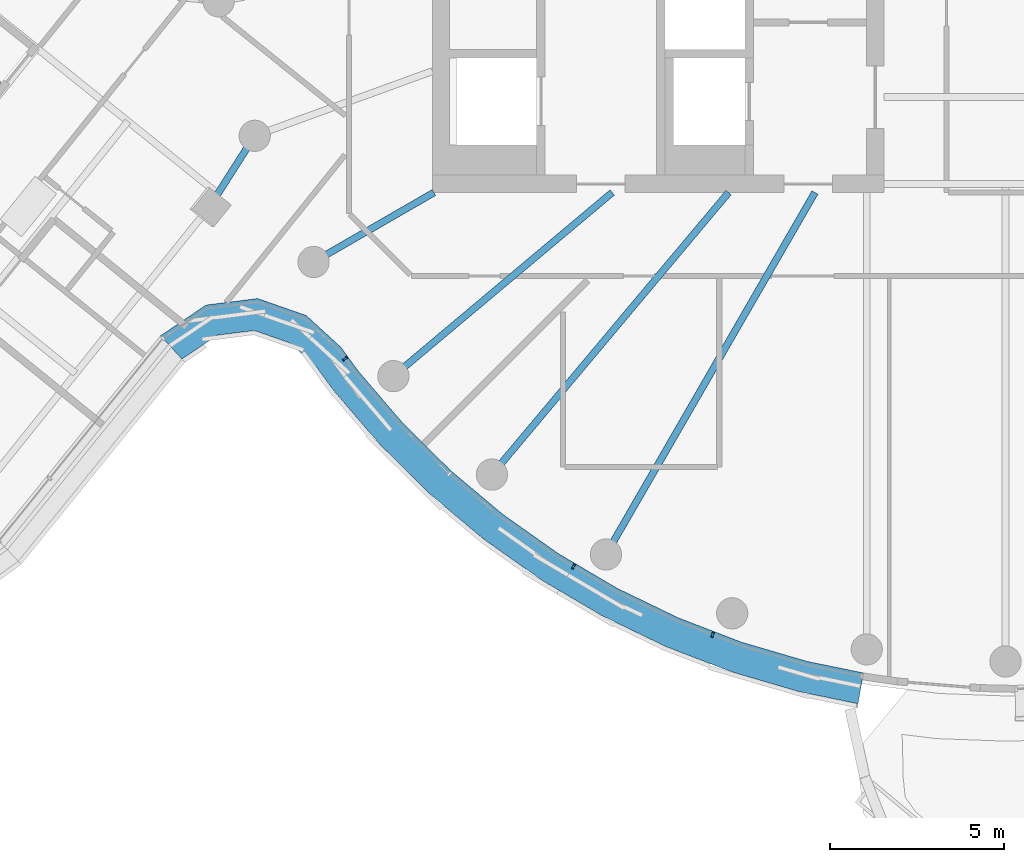
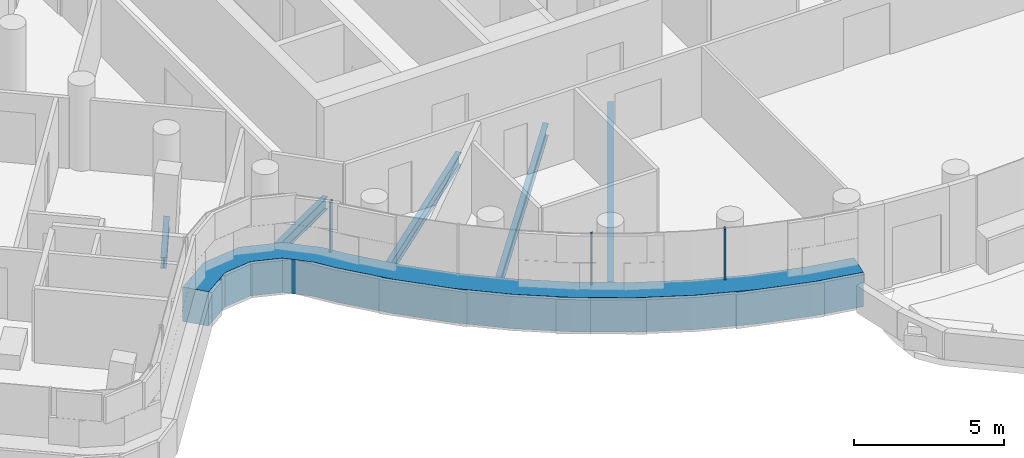
# One storey, part 3 of 25: 5 beams, 4 members, 1 element without a shape of its own.
"""IFC4 building model written with IfcOpenShell, lengths in metres."""

from ifc_helpers import new_model, si_unit, direction, frame, origin, origin_2d, place, context, subcontext, project, spatial, polyline, rectangle, i_section, outline, extrude, material, layer, layer_set, material_profile, profile_set, type_object, element, aggregate, save


model = new_model("IFC4")

# Units and contexts
model_context = context("Model", 3, precision=1e-05, world=origin(), true_north=direction((0.0, 1.0)))
body_context = subcontext(model_context, "Body", "Model", "MODEL_VIEW")
ifc_project = project(units=[si_unit("LENGTHUNIT", "METRE"), si_unit("AREAUNIT", "SQUARE_METRE"), si_unit("VOLUMEUNIT", "CUBIC_METRE"), si_unit("PLANEANGLEUNIT", "RADIAN"), si_unit("MASSUNIT", "GRAM", prefix="KILO")], contexts=[model_context])

# Site, building, storey
site_placement = place(None, origin())
site = spatial("IfcSite", under=ifc_project, at=site_placement, CompositionType="ELEMENT")
building_placement = place(site_placement, origin())
building = spatial("IfcBuilding", under=site, at=building_placement, Name="Tamarind Cross Interchange Tower", CompositionType="ELEMENT")
storey_placement = place(building_placement, frame((0.0, 0.0, 219.89990234375)))
storey = spatial("IfcBuildingStorey", under=building, at=storey_placement, Name="L55", CompositionType="ELEMENT", Elevation=219.89990234375)

# Beams
ifc_material_1 = material(Name="Steel Q355B", Category="steel")
ifc_material_profile_1 = material_profile(ifc_material_1, i_section(OverallWidth=0.198974609375, OverallDepth=0.446044921875, WebThickness=0.008056640625, FlangeThickness=0.011962890625, FilletRadius=0.012939453125, at=origin_2d()), Name="HN 446x199x8x12")
ifc_profile_set_1 = profile_set([ifc_material_profile_1], Name="Steel Q355B")
beam_type_1 = type_object("IfcBeamType", Name="Composite beam HN 446x199x8x12 Q355B", PredefinedType="BEAM", material=ifc_profile_set_1)
beam_1_placement = place(storey_placement, frame((-22.915283203125, -9.914794921875, -0.36279296875), z_axis=(0.536510975784, 0.843893342113, 0.0), x_axis=(-0.843893342113, 0.536510975784, 0.0)))
element("IfcBeam", 1, at=beam_1_placement, inside=storey, type_object=beam_type_1, Name="Beam W-linkep", PredefinedType="BEAM", context=body_context, shape_type="SweptSolid", body=[
    extrude(i_section(OverallWidth=0.198974609375, OverallDepth=0.446044921875, WebThickness=0.008056640625, FlangeThickness=0.011962890625, FilletRadius=0.012939453125, at=origin_2d()), origin(), (0.0, 0.0, 1.0), 2.42724609375),
])
ifc_material_profile_2 = material_profile(ifc_material_1, i_section(OverallWidth=0.198974609375, OverallDepth=0.49609375, WebThickness=0.009033203125, FlangeThickness=0.013916015625, FilletRadius=0.012939453125, at=origin_2d()), Name="HN 496x199x9x14")
ifc_profile_set_2 = profile_set([ifc_material_profile_2], Name="Steel Q355B")
beam_type_2 = type_object("IfcBeamType", Name="Composite beam HN 496x199x9x14 Q355B", PredefinedType="BEAM", material=ifc_profile_set_2)
beam_2_placement = place(storey_placement, frame((-19.918701171875, -11.5, -0.387939453125), z_axis=(0.866026010844, 0.49999894854, 0.0), x_axis=(-0.49999894854, 0.866026010844, 0.0)))
element("IfcBeam", 2, at=beam_2_placement, inside=storey, type_object=beam_type_2, Name="Beam HH21", PredefinedType="BEAM", context=body_context, shape_type="SweptSolid", body=[
    extrude(i_section(OverallWidth=0.198974609375, OverallDepth=0.49609375, WebThickness=0.009033203125, FlangeThickness=0.013916015625, FilletRadius=0.012939453125, at=origin_2d()), origin(), (0.0, 0.0, 1.0), 4.0),
])
beam_3_placement = place(storey_placement, frame((-17.619140625, -14.7841796875, -0.387939453125), z_axis=(0.766040580814, 0.642792212574, 0.0), x_axis=(-0.642792212574, 0.766040580814, 0.0)))
element("IfcBeam", 3, at=beam_3_placement, inside=storey, type_object=beam_type_2, Name="Beam HH22", PredefinedType="BEAM", context=body_context, shape_type="SweptSolid", body=[
    extrude(i_section(OverallWidth=0.198974609375, OverallDepth=0.49609375, WebThickness=0.009033203125, FlangeThickness=0.013916015625, FilletRadius=0.012939453125, at=origin_2d()), origin(), (0.0, 0.0, 1.0), 8.220703125),
])
beam_4_placement = place(storey_placement, frame((-14.7841796875, -17.619140625, -0.387939453125), z_axis=(0.642786293979, 0.766045547127, 0.0), x_axis=(-0.766045547127, 0.642786293979, 0.0)))
element("IfcBeam", 4, at=beam_4_placement, inside=storey, type_object=beam_type_2, Name="Beam HH23", PredefinedType="BEAM", context=body_context, shape_type="SweptSolid", body=[
    extrude(i_section(OverallWidth=0.198974609375, OverallDepth=0.49609375, WebThickness=0.009033203125, FlangeThickness=0.013916015625, FilletRadius=0.012939453125, at=origin_2d()), origin(), (0.0, 0.0, 1.0), 10.598876953125),
])
beam_5_placement = place(storey_placement, frame((-11.5, -19.918701171875, -0.387939453125), z_axis=(0.499993565836, 0.866029118519, 0.0), x_axis=(-0.866029118519, 0.499993565836, 0.0)))
element("IfcBeam", 5, at=beam_5_placement, inside=storey, type_object=beam_type_2, Name="Beam HH24", PredefinedType="BEAM", context=body_context, shape_type="SweptSolid", body=[
    extrude(i_section(OverallWidth=0.198974609375, OverallDepth=0.49609375, WebThickness=0.009033203125, FlangeThickness=0.013916015625, FilletRadius=0.012939453125, at=origin_2d()), origin(), (0.0, 0.0, 1.0), 12.030517578125),
])

# Curtain wall, members
ifc_material_2 = material(Name="Aluminium 6063-T6", Category="aluminium")
ifc_layer = layer(ifc_material_2, 0.14990234375)
ifc_layer_set = layer_set([ifc_layer], Name="Aluminium 6063-T6")
curtain_wall_type = type_object("IfcCurtainWallType", Name="Winter garden and crown curtain wall", PredefinedType="NOTDEFINED", material=ifc_layer_set)
curtain_wall_placement = place(storey_placement, origin())
curtain_wall = element("IfcCurtainWall", 6, at=curtain_wall_placement, inside=storey, type_object=curtain_wall_type, Name="CWS-L55-02", PredefinedType="NOTDEFINED")
ifc_material_3 = material(Name="Aluminium and insulated spandrel panel", Category="aluminium")
member_type_1 = type_object("IfcMemberType", Name="Floor-edge blade transom", PredefinedType="USERDEFINED", material=ifc_material_3)
member_1_placement = place(storey_placement, origin())
member_1 = element("IfcMember", 7, at=member_1_placement, type_object=member_type_1, Name="CWT-L55-02-0", ObjectType="TRANSOM", PredefinedType="USERDEFINED", context=body_context, shape_type="SweptSolid", body=[
    extrude(outline(polyline([(-24.322998046875, -13.62255859375), (-23.01025390625, -12.738525390625), (-21.529541015625, -12.551513671875), (-20.129150390625, -13.039794921875), (-19.13818359375, -13.947021484375), (-18.636962890625, -14.6337890625), (-17.3642578125, -16.12353515625), (-15.973388671875, -17.50244140625), (-14.4736328125, -18.76171875), (-12.874755859375, -19.892822265625), (-11.188232421875, -20.88818359375), (-9.425048828125, -21.74072265625), (-7.597412109375, -22.444580078125), (-5.718017578125, -22.995361328125), (-4.08935546875, -23.32958984375), (-4.244873046875, -24.216552734375), (-5.935302734375, -23.86962890625), (-7.88623046875, -23.2978515625), (-9.783203125, -22.567138671875), (-11.613525390625, -21.68212890625), (-13.3642578125, -20.64892578125), (-15.023681640625, -19.474853515625), (-16.580810546875, -18.167724609375), (-18.0244140625, -16.736572265625), (-19.34375, -15.192138671875), (-19.81201171875, -14.55029296875), (-20.600341796875, -13.82861328125), (-21.626220703125, -13.470947265625), (-22.68505859375, -13.6044921875), (-23.70849609375, -14.2939453125), (-24.322998046875, -13.62255859375)])), origin(), (0.0, 0.0, 1.0), 1.400146484375),
])
ifc_material_profile_3 = material_profile(ifc_material_2, rectangle(XDim=0.06005859375, YDim=0.14990234375, at=origin_2d()), Name="Mullion CW6")
ifc_profile_set_3 = profile_set([ifc_material_profile_3], Name="Aluminium 6063-T6")
member_type_2 = type_object("IfcMemberType", Name="Mullion CW6", PredefinedType="MULLION", material=ifc_profile_set_3)
member_2_placement = place(storey_placement, frame((-19.013671875, -14.287109375, 1.400146484375), z_axis=(0.0, 0.0, 1.0), x_axis=(0.589398309735, -0.807842579022, 0.0)))
member_2 = element("IfcMember", 8, at=member_2_placement, type_object=member_type_2, Name="CWM-L55-02-01", PredefinedType="MULLION", context=body_context, shape_type="SweptSolid", body=[
    extrude(rectangle(XDim=0.06005859375, YDim=0.14990234375, at=origin_2d()), origin(), (0.0, 0.0, 1.0), 2.06005859375),
])
member_3_placement = place(storey_placement, frame((-12.436279296875, -20.267822265625, 1.400146484375), z_axis=(0.0, 0.0, 1.0), x_axis=(0.861248933065, -0.508183308752, 0.0)))
member_3 = element("IfcMember", 9, at=member_3_placement, type_object=member_type_2, Name="CWM-L55-02-03", PredefinedType="MULLION", context=body_context, shape_type="SweptSolid", body=[
    extrude(rectangle(XDim=0.06005859375, YDim=0.14990234375, at=origin_2d()), origin(), (0.0, 0.0, 1.0), 2.06005859375),
])
member_4_placement = place(storey_placement, frame((-8.4326171875, -22.230224609375, 1.400146484375), z_axis=(0.0, 0.0, 1.0), x_axis=(0.933146843667, -0.359495435512, 0.0)))
member_4 = element("IfcMember", 10, at=member_4_placement, type_object=member_type_2, Name="CWM-L55-02-04", PredefinedType="MULLION", context=body_context, shape_type="SweptSolid", body=[
    extrude(rectangle(XDim=0.06005859375, YDim=0.14990234375, at=origin_2d()), origin(), (0.0, 0.0, 1.0), 2.06005859375),
])
aggregate(curtain_wall, [member_2, member_3, member_4, member_1])

save(model, "model.ifc")
